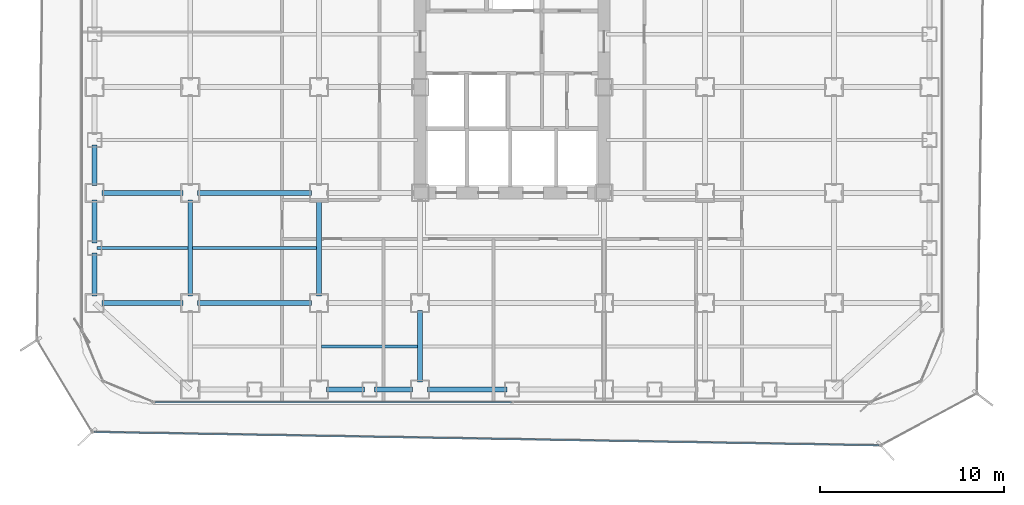
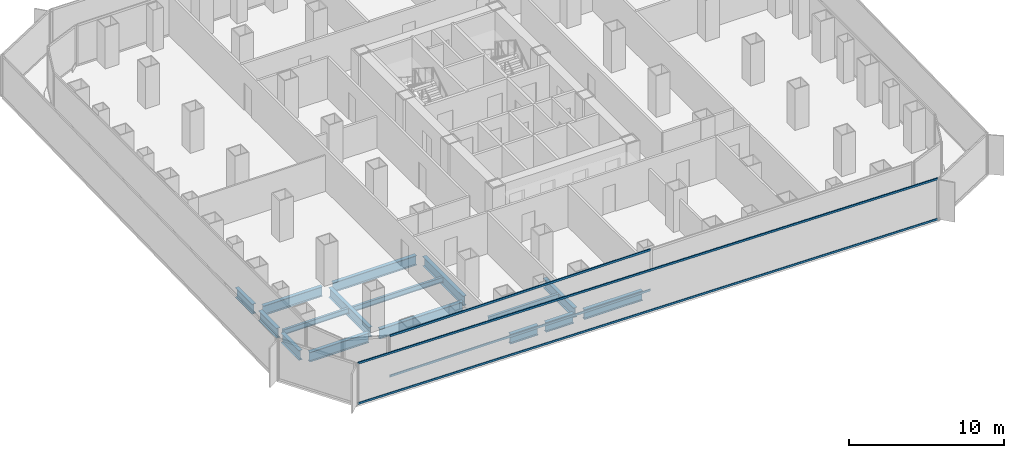
# One storey, part 3 of 22: 16 beams, 4 members, 2 elements without a shape of their own.
"""IFC4 building model written with IfcOpenShell, lengths in metres."""

import ifcopenshell
import ifcopenshell.guid

model = None  # the IFC model being written
_history = None  # IfcOwnerHistory: only IFC2X3 demands one
_inside = {}  # id of a spatial element -> (the spatial element, [elements in it])
_under = {}  # id of a project, library or spatial element -> (it, [spatial elements below it])
_declared = {}  # id of a project -> (the project, [libraries it declares])
_typed = {}  # id of a type object -> (the type object, [elements of that type])
_made_of = {}  # id of a material, layer set ... -> (it, [elements and type objects made of it])


def new_model(schema):
    """Start an empty IFC model of exactly this schema.

    Asked for "IFC4X3", IfcOpenShell would pick the latest addendum, in which some entities
    have other attributes; the version numbers below select the first issue.
    IFC2X3 requires an IfcOwnerHistory on every rooted entity: one is made here for all.
    """
    global model, _history
    if schema == "IFC4X3":
        model = ifcopenshell.file(schema_version=(4, 3, 0, 0))
    else:
        model = ifcopenshell.file(schema=schema)
    _inside.clear()
    _under.clear()
    _declared.clear()
    _typed.clear()
    _made_of.clear()
    _history = None
    if model.schema == "IFC2X3":
        org = make("IfcOrganization", Name="unknown")
        user = make(
            "IfcPersonAndOrganization",
            ThePerson=make("IfcPerson", FamilyName="unknown"),
            TheOrganization=org,
        )
        app = make(
            "IfcApplication",
            ApplicationDeveloper=org,
            Version="unknown",
            ApplicationFullName="unknown",
            ApplicationIdentifier="unknown",
        )
        _history = make(
            "IfcOwnerHistory",
            OwningUser=user,
            OwningApplication=app,
            ChangeAction="ADDED",
            CreationDate=0,
        )
    return model


def make(cls, **values):
    """One entity of the class cls with the attributes given. An attribute that is None is left unset."""
    return model.create_entity(
        cls, **{name: value for name, value in values.items() if value is not None}
    )


def rooted(cls, **values):
    """An entity with a GlobalId (a new one), such as an element, a storey or a relation."""
    return make(cls, GlobalId=ifcopenshell.guid.new(), OwnerHistory=_history, **values)


def si_unit(unit_type, name, prefix=None):
    """IfcSIUnit, for example si_unit("LENGTHUNIT", "METRE", prefix="MILLI")."""
    return make("IfcSIUnit", UnitType=unit_type, Prefix=prefix, Name=name)


def assignment(units):
    """IfcUnitAssignment: the units of a project."""
    return None if units is None else make("IfcUnitAssignment", Units=units)


def point(xyz):
    """IfcCartesianPoint."""
    return None if xyz is None else make("IfcCartesianPoint", Coordinates=xyz)


def direction(xyz):
    """IfcDirection."""
    return None if xyz is None else make("IfcDirection", DirectionRatios=xyz)


def frame(location, z_axis=None, x_axis=None):
    """IfcAxis2Placement3D, a coordinate frame: its origin and axes. An axis left out is left unset."""
    return make(
        "IfcAxis2Placement3D",
        Location=point(location),
        Axis=direction(z_axis),
        RefDirection=direction(x_axis),
    )


def frame_2d(location, x_axis=None):
    """IfcAxis2Placement2D, a coordinate frame in the plane: its origin and x axis."""
    return make(
        "IfcAxis2Placement2D", Location=point(location), RefDirection=direction(x_axis)
    )


def origin():
    """The frame at (0, 0, 0) with its axes left unset."""
    return frame((0.0, 0.0, 0.0))


def origin_2d():
    """The frame at (0, 0) in the plane with its x axis left unset."""
    return frame_2d((0.0, 0.0))


def place(relative_to, where):
    """IfcLocalPlacement: puts the frame where relative to a parent placement (None: the world)."""
    return make(
        "IfcLocalPlacement", PlacementRelTo=relative_to, RelativePlacement=where
    )


def context(
    kind, dimensions, precision=None, world=None, true_north=None, identifier=None
):
    """IfcGeometricRepresentationContext, for example the 3D "Model" context."""
    return make(
        "IfcGeometricRepresentationContext",
        ContextIdentifier=identifier,
        ContextType=kind,
        CoordinateSpaceDimension=dimensions,
        Precision=precision,
        WorldCoordinateSystem=world,
        TrueNorth=true_north,
    )


def subcontext(parent, identifier, kind, view, scale=None):
    """IfcGeometricRepresentationSubContext, for example "Body" below "Model"."""
    return make(
        "IfcGeometricRepresentationSubContext",
        ContextIdentifier=identifier,
        ContextType=kind,
        ParentContext=parent,
        TargetScale=scale,
        TargetView=view,
    )


def project(units=None, contexts=None):
    """IfcProject with its units and contexts."""
    return rooted(
        "IfcProject",
        Name="project",
        RepresentationContexts=contexts,
        UnitsInContext=assignment(units),
    )


def spatial(cls, under=None, at=None, **own):
    """A site, building, storey or space (cls), placed at a placement, below another one or the project."""
    s = rooted(cls, ObjectPlacement=at, **own)
    if under is not None:
        _under.setdefault(under.id(), (under, []))[1].append(s)
    return s


def profile(cls, at=None, kind="AREA", **sizes):
    """A parametric profile (cls). Its sizes go by their IFC names, for example OverallWidth=200.0."""
    return make(cls, ProfileType=kind, Position=at, **sizes)


def hollow_rectangle(**sizes):
    """IfcRectangleHollowProfileDef."""
    return profile("IfcRectangleHollowProfileDef", **sizes)


def i_section(**sizes):
    """IfcIShapeProfileDef."""
    return profile("IfcIShapeProfileDef", **sizes)


def extrude(swept, where, along, depth):
    """IfcExtrudedAreaSolid: the profile swept, set in the frame where, extruded along a direction by depth."""
    return make(
        "IfcExtrudedAreaSolid",
        SweptArea=swept,
        Position=where,
        ExtrudedDirection=direction(along),
        Depth=depth,
    )


def shape(context_of_items, identifier, shape_type, items):
    """IfcShapeRepresentation: the items that make up one representation, for example the "Body"."""
    return make(
        "IfcShapeRepresentation",
        ContextOfItems=context_of_items,
        RepresentationIdentifier=identifier,
        RepresentationType=shape_type,
        Items=items,
    )


def source(mapping_origin, context_of_items, identifier, shape_type, items):
    """IfcRepresentationMap: a shape defined once, which mapped items show again and again."""
    return make(
        "IfcRepresentationMap",
        MappingOrigin=mapping_origin,
        MappedRepresentation=shape(context_of_items, identifier, shape_type, items),
    )


def transform(
    local_origin,
    x_axis=None,
    y_axis=None,
    z_axis=None,
    scale=None,
    scale2=None,
    scale3=None,
    uniform=True,
):
    """IfcCartesianTransformationOperator3D, or its non-uniform kind. x_axis, y_axis, z_axis: its Axis1, 2, 3."""
    if uniform:
        return make(
            "IfcCartesianTransformationOperator3D",
            Axis1=direction(x_axis),
            Axis2=direction(y_axis),
            LocalOrigin=point(local_origin),
            Scale=scale,
            Axis3=direction(z_axis),
        )
    return make(
        "IfcCartesianTransformationOperator3DnonUniform",
        Axis1=direction(x_axis),
        Axis2=direction(y_axis),
        LocalOrigin=point(local_origin),
        Scale=scale,
        Axis3=direction(z_axis),
        Scale2=scale2,
        Scale3=scale3,
    )


def mapped(mapping_source, mapping_target):
    """IfcMappedItem: shows the shape of a source again, moved by a transform."""
    return make(
        "IfcMappedItem", MappingSource=mapping_source, MappingTarget=mapping_target
    )


def material(Name=None, Category=None):
    """IfcMaterial."""
    return make("IfcMaterial", Name=Name, Category=Category)


def layer(
    of_material, thickness, ventilated=None, Name=None, Category=None, Priority=None
):
    """IfcMaterialLayer: one layer of a wall or slab, of a material (None: an air gap)."""
    return make(
        "IfcMaterialLayer",
        Material=of_material,
        LayerThickness=thickness,
        IsVentilated=ventilated,
        Name=Name,
        Category=Category,
        Priority=Priority,
    )


def layer_set(layers, Name=None):
    """IfcMaterialLayerSet."""
    return make("IfcMaterialLayerSet", MaterialLayers=layers, LayerSetName=Name)


def material_profile(
    of_material, cross_section, Name=None, Category=None, Priority=None
):
    """IfcMaterialProfile: a cross section and its material."""
    return make(
        "IfcMaterialProfile",
        Name=Name,
        Material=of_material,
        Profile=cross_section,
        Priority=Priority,
        Category=Category,
    )


def profile_set(profiles, Name=None, composite=None):
    """IfcMaterialProfileSet."""
    return make(
        "IfcMaterialProfileSet",
        Name=Name,
        MaterialProfiles=profiles,
        CompositeProfile=composite,
    )


def made_of(thing, what):
    """Note that an element or type object is made of a material, layer set ...; save() writes the relation."""
    if what is not None:
        _made_of.setdefault(what.id(), (what, []))[1].append(thing)
    return thing


def type_object(cls, material=None, **own):
    """A type object (cls), such as IfcWallType, which elements share."""
    return made_of(rooted(cls, **own), material)


def element(
    cls,
    number,
    at=None,
    inside=None,
    cuts=None,
    type_object=None,
    material=None,
    context=None,
    identifier="Body",
    shape_type=None,
    held_by="IfcProductDefinitionShape",
    body=None,
    shapes=None,
    **own,
):
    """One element of the class cls, such as IfcWall. Its Tag is "e" and its number.

    at: its placement. inside: the storey or other place that contains it. cuts: it is an
    opening in that element (IfcRelVoidsElement). A single representation is given by context,
    identifier, shape_type and body (its items); several are given by shapes. held_by: the class
    of the entity that holds the representations. save() writes the other relations.
    """
    e = rooted(cls, Tag="e%d" % number, ObjectPlacement=at, **own)
    if body is not None:
        shapes = [shape(context, identifier, shape_type, body)]
    if shapes is not None:
        e.Representation = make(held_by, Representations=shapes)
    if inside is not None:
        _inside.setdefault(inside.id(), (inside, []))[1].append(e)
    if cuts is not None:
        rooted(
            "IfcRelVoidsElement", RelatingBuildingElement=cuts, RelatedOpeningElement=e
        )
    if type_object is not None:
        _typed.setdefault(type_object.id(), (type_object, []))[1].append(e)
    return made_of(e, material)


def aggregate(whole, parts):
    """IfcRelAggregates: a whole, such as a stair, and the parts it consists of."""
    return rooted("IfcRelAggregates", RelatingObject=whole, RelatedObjects=parts)


def save(model, path):
    """Write the relations noted so far, then the file.

    IfcRelAggregates (storeys below a building ...), IfcRelContainedInSpatialStructure (elements
    in a storey), IfcRelDefinesByType, IfcRelAssociatesMaterial and IfcRelDeclares: one each for
    every whole, place, type object, material and project.
    """
    for whole, parts in _under.values():
        aggregate(whole, parts)
    for where, things in _inside.values():
        rooted(
            "IfcRelContainedInSpatialStructure",
            RelatedElements=things,
            RelatingStructure=where,
        )
    for kind, things in _typed.values():
        rooted("IfcRelDefinesByType", RelatedObjects=things, RelatingType=kind)
    for what, things in _made_of.values():
        rooted("IfcRelAssociatesMaterial", RelatedObjects=things, RelatingMaterial=what)
    for by, libraries in _declared.values():
        rooted("IfcRelDeclares", RelatingContext=by, RelatedDefinitions=libraries)
    model.write(path)


model = new_model("IFC4")

# Units and contexts
model_context = context("Model", 3, precision=1e-05, world=origin(), true_north=direction((0.0, 1.0)))
body_context = subcontext(model_context, "Body", "Model", "MODEL_VIEW")
ifc_project = project(units=[si_unit("LENGTHUNIT", "METRE"), si_unit("AREAUNIT", "SQUARE_METRE"), si_unit("VOLUMEUNIT", "CUBIC_METRE"), si_unit("PLANEANGLEUNIT", "RADIAN"), si_unit("MASSUNIT", "GRAM", prefix="KILO")], contexts=[model_context])

# Site, building, storey
site_placement = place(None, origin())
site = spatial("IfcSite", under=ifc_project, at=site_placement, CompositionType="ELEMENT")
building_placement = place(site_placement, origin())
building = spatial("IfcBuilding", under=site, at=building_placement, Name="Kolveth Station Tower", CompositionType="ELEMENT")
storey_placement = place(building_placement, frame((0.0, 0.0, 72.89990234375)))
storey = spatial("IfcBuildingStorey", under=building, at=storey_placement, Name="L19", CompositionType="ELEMENT", Elevation=72.89990234375)

# Beams
ifc_material_1 = material(Name="Steel S355", Category="steel")
ifc_material_profile_1 = material_profile(ifc_material_1, i_section(OverallWidth=0.26904296875, OverallDepth=0.77490234375, WebThickness=0.01708984375, FlangeThickness=0.0283203125, at=origin_2d()), Name="W760x220")
ifc_profile_set_1 = profile_set([ifc_material_profile_1], Name="Steel S355")
beam_type_1 = type_object("IfcBeamType", Name="Beam_SP1", PredefinedType="SPANDREL", material=ifc_profile_set_1)
shared_shape_1 = source(origin(), body_context, "Body", "SweptSolid", [
    extrude(i_section(OverallWidth=0.26904296875, OverallDepth=0.77490234375, WebThickness=0.01708984375, FlangeThickness=0.0283203125, at=origin_2d()), origin(), (0.0, 0.0, 1.0), 2.070068359375),
])
for number, where, z_axis, x_axis, name in (
    (1, (13.39990234375, 0.800048828125, -0.66748046875), (1.0, 0.0, 0.0), (0.0, 1.0, 0.0), "L19 Perimeter Spandrel BM-L19-PS-3"),
    (2, (16.030029296875, 0.800048828125, -0.66748046875), (1.0, 0.0, 0.0), (0.0, 1.0, 0.0), "L19 Perimeter Spandrel BM-L19-PS-4"),
):
    element("IfcBeam", number, at=place(storey_placement, frame(where, z_axis=z_axis, x_axis=x_axis)), inside=storey, type_object=beam_type_1, Name=name, PredefinedType="SPANDREL", context=body_context, shape_type="MappedRepresentation", body=[
        mapped(shared_shape_1, transform((0.0, 0.0, 0.0), x_axis=(1.0, 0.0, 0.0), y_axis=(0.0, 1.0, 0.0), z_axis=(0.0, 0.0, 1.0), scale=1.0)),
    ])
shared_shape_2 = source(origin(), body_context, "Body", "SweptSolid", [
    extrude(i_section(OverallWidth=0.26904296875, OverallDepth=0.77490234375, WebThickness=0.01708984375, FlangeThickness=0.0283203125, at=origin_2d()), origin(), (0.0, 0.0, 1.0), 4.320068359375),
])
beam_1_placement = place(storey_placement, frame((18.89990234375, 0.800048828125, -0.66748046875), z_axis=(1.0, 0.0, 0.0), x_axis=(0.0, 1.0, 0.0)))
element("IfcBeam", 3, at=beam_1_placement, inside=storey, type_object=beam_type_1, Name="L19 Perimeter Spandrel BM-L19-PS-5", PredefinedType="SPANDREL", context=body_context, shape_type="MappedRepresentation", body=[
    mapped(shared_shape_2, transform((0.0, 0.0, 0.0), x_axis=(1.0, 0.0, 0.0), y_axis=(0.0, 1.0, 0.0), z_axis=(0.0, 0.0, 1.0), scale=1.0)),
])
shared_shape_3 = source(origin(), body_context, "Body", "SweptSolid", [
    extrude(i_section(OverallWidth=0.26904296875, OverallDepth=0.77490234375, WebThickness=0.01708984375, FlangeThickness=0.0283203125, at=origin_2d()), origin(), (0.0, 0.0, 1.0), 2.320068359375),
])
for number, where, z_axis, x_axis, name in (
    (4, (0.800048828125, 5.89990234375, -0.66748046875), (0.0, 1.0, 0.0), (-1.0, 0.0, 0.0), "L19 Perimeter Spandrel BM-L19-PW-1"),
    (5, (0.800048828125, 8.780029296875, -0.66748046875), (0.0, 1.0, 0.0), (-1.0, 0.0, 0.0), "L19 Perimeter Spandrel BM-L19-PW-2"),
):
    element("IfcBeam", number, at=place(storey_placement, frame(where, z_axis=z_axis, x_axis=x_axis)), inside=storey, type_object=beam_type_1, Name=name, PredefinedType="SPANDREL", context=body_context, shape_type="MappedRepresentation", body=[
        mapped(shared_shape_3, transform((0.0, 0.0, 0.0), x_axis=(1.0, 0.0, 0.0), y_axis=(0.0, 1.0, 0.0), z_axis=(0.0, 0.0, 1.0), scale=1.0)),
    ])
shared_shape_4 = source(origin(), body_context, "Body", "SweptSolid", [
    extrude(i_section(OverallWidth=0.26904296875, OverallDepth=0.77490234375, WebThickness=0.01708984375, FlangeThickness=0.0283203125, at=origin_2d()), origin(), (0.0, 0.0, 1.0), 2.2001953125),
])
beam_2_placement = place(storey_placement, frame((0.800048828125, 11.89990234375, -0.66748046875), z_axis=(0.0, 1.0, 0.0), x_axis=(-1.0, 0.0, 0.0)))
element("IfcBeam", 6, at=beam_2_placement, inside=storey, type_object=beam_type_1, Name="L19 Perimeter Spandrel BM-L19-PW-3", PredefinedType="SPANDREL", context=body_context, shape_type="MappedRepresentation", body=[
    mapped(shared_shape_4, transform((0.0, 0.0, 0.0), x_axis=(1.0, 0.0, 0.0), y_axis=(0.0, 1.0, 0.0), z_axis=(0.0, 0.0, 1.0), scale=1.0)),
])
ifc_material_profile_2 = material_profile(ifc_material_1, i_section(OverallWidth=0.26708984375, OverallDepth=0.76611328125, WebThickness=0.014892578125, FlangeThickness=0.023681640625, at=origin_2d()), Name="W760x185")
ifc_profile_set_2 = profile_set([ifc_material_profile_2], Name="Steel S355")
beam_type_2 = type_object("IfcBeamType", Name="Beam_B3", PredefinedType="BEAM", material=ifc_profile_set_2)
shared_shape_5 = source(origin(), body_context, "Body", "SweptSolid", [
    extrude(i_section(OverallWidth=0.26708984375, OverallDepth=0.76611328125, WebThickness=0.014892578125, FlangeThickness=0.023681640625, at=origin_2d()), origin(), (0.0, 0.0, 1.0), 4.400146484375),
])
for number, where, z_axis, x_axis, name in (
    (7, (1.199951171875, 5.5, -0.662841796875), (1.0, 0.0, 0.0), (0.0, 1.0, 0.0), "L19 Primary Girder BM-L19-GY55-1"),
    (8, (1.199951171875, 11.5, -0.662841796875), (1.0, 0.0, 0.0), (0.0, 1.0, 0.0), "L19 Primary Girder BM-L19-GY115-1"),
):
    element("IfcBeam", number, at=place(storey_placement, frame(where, z_axis=z_axis, x_axis=x_axis)), inside=storey, type_object=beam_type_2, Name=name, PredefinedType="BEAM", context=body_context, shape_type="MappedRepresentation", body=[
        mapped(shared_shape_5, transform((0.0, 0.0, 0.0), x_axis=(1.0, 0.0, 0.0), y_axis=(0.0, 1.0, 0.0), z_axis=(0.0, 0.0, 1.0), scale=1.0)),
    ])
shared_shape_6 = source(origin(), body_context, "Body", "SweptSolid", [
    extrude(i_section(OverallWidth=0.26708984375, OverallDepth=0.76611328125, WebThickness=0.014892578125, FlangeThickness=0.023681640625, at=origin_2d()), origin(), (0.0, 0.0, 1.0), 6.2001953125),
])
for number, where, z_axis, x_axis, name in (
    (9, (6.39990234375, 5.5, -0.662841796875), (1.0, 0.0, 0.0), (0.0, 1.0, 0.0), "L19 Primary Girder BM-L19-GY55-2"),
    (10, (6.39990234375, 11.5, -0.662841796875), (1.0, 0.0, 0.0), (0.0, 1.0, 0.0), "L19 Primary Girder BM-L19-GY115-2"),
):
    element("IfcBeam", number, at=place(storey_placement, frame(where, z_axis=z_axis, x_axis=x_axis)), inside=storey, type_object=beam_type_2, Name=name, PredefinedType="BEAM", context=body_context, shape_type="MappedRepresentation", body=[
        mapped(shared_shape_6, transform((0.0, 0.0, 0.0), x_axis=(1.0, 0.0, 0.0), y_axis=(0.0, 1.0, 0.0), z_axis=(0.0, 0.0, 1.0), scale=1.0)),
    ])
shared_shape_7 = source(origin(), body_context, "Body", "SweptSolid", [
    extrude(i_section(OverallWidth=0.26708984375, OverallDepth=0.76611328125, WebThickness=0.014892578125, FlangeThickness=0.023681640625, at=origin_2d()), origin(), (0.0, 0.0, 1.0), 3.900146484375),
])
beam_3_placement = place(storey_placement, frame((18.5, 1.199951171875, -0.662841796875), z_axis=(0.0, 1.0, 0.0), x_axis=(-1.0, 0.0, 0.0)))
element("IfcBeam", 11, at=beam_3_placement, inside=storey, type_object=beam_type_2, Name="L19 Primary Girder BM-L19-GX185-1", PredefinedType="BEAM", context=body_context, shape_type="MappedRepresentation", body=[
    mapped(shared_shape_7, transform((0.0, 0.0, 0.0), x_axis=(1.0, 0.0, 0.0), y_axis=(0.0, 1.0, 0.0), z_axis=(0.0, 0.0, 1.0), scale=1.0)),
])
shared_shape_8 = source(origin(), body_context, "Body", "SweptSolid", [
    extrude(i_section(OverallWidth=0.26708984375, OverallDepth=0.76611328125, WebThickness=0.014892578125, FlangeThickness=0.023681640625, at=origin_2d()), origin(), (0.0, 0.0, 1.0), 5.2001953125),
])
for number, where, z_axis, x_axis, name in (
    (12, (6.0, 5.89990234375, -0.662841796875), (0.0, 1.0, 0.0), (-1.0, 0.0, 0.0), "L19 Primary Girder BM-L19-GX60-2"),
    (13, (13.0, 5.89990234375, -0.662841796875), (0.0, 1.0, 0.0), (-1.0, 0.0, 0.0), "L19 Primary Girder BM-L19-GX130-2"),
):
    element("IfcBeam", number, at=place(storey_placement, frame(where, z_axis=z_axis, x_axis=x_axis)), inside=storey, type_object=beam_type_2, Name=name, PredefinedType="BEAM", context=body_context, shape_type="MappedRepresentation", body=[
        mapped(shared_shape_8, transform((0.0, 0.0, 0.0), x_axis=(1.0, 0.0, 0.0), y_axis=(0.0, 1.0, 0.0), z_axis=(0.0, 0.0, 1.0), scale=1.0)),
    ])
ifc_material_profile_3 = material_profile(ifc_material_1, i_section(OverallWidth=0.177978515625, OverallDepth=0.406982421875, WebThickness=0.0078125, FlangeThickness=0.0126953125, at=origin_2d()), Name="W410x60")
ifc_profile_set_3 = profile_set([ifc_material_profile_3], Name="Steel S355")
beam_type_3 = type_object("IfcBeamType", Name="Beam_J1", PredefinedType="JOIST", material=ifc_profile_set_3)
shared_shape_9 = source(origin(), body_context, "Body", "SweptSolid", [
    extrude(i_section(OverallWidth=0.177978515625, OverallDepth=0.406982421875, WebThickness=0.0078125, FlangeThickness=0.0126953125, at=origin_2d()), origin(), (0.0, 0.0, 1.0), 4.935791015625),
])
beam_4_placement = place(storey_placement, frame((0.9326171875, 8.5, -0.4833984375), z_axis=(1.0, 0.0, 0.0), x_axis=(0.0, 1.0, 0.0)))
element("IfcBeam", 14, at=beam_4_placement, inside=storey, type_object=beam_type_3, Name="L19 Secondary Joist JST-L19-1-2", PredefinedType="JOIST", context=body_context, shape_type="MappedRepresentation", body=[
    mapped(shared_shape_9, transform((0.0, 0.0, 0.0), x_axis=(1.0, 0.0, 0.0), y_axis=(0.0, 1.0, 0.0), z_axis=(0.0, 0.0, 1.0), scale=1.0)),
])
shared_shape_10 = source(origin(), body_context, "Body", "SweptSolid", [
    extrude(i_section(OverallWidth=0.177978515625, OverallDepth=0.406982421875, WebThickness=0.0078125, FlangeThickness=0.0126953125, at=origin_2d()), origin(), (0.0, 0.0, 1.0), 6.73681640625),
])
beam_5_placement = place(storey_placement, frame((6.131591796875, 8.5, -0.4833984375), z_axis=(1.0, 0.0, 0.0), x_axis=(0.0, 1.0, 0.0)))
element("IfcBeam", 15, at=beam_5_placement, inside=storey, type_object=beam_type_3, Name="L19 Secondary Joist JST-L19-2-2", PredefinedType="JOIST", context=body_context, shape_type="MappedRepresentation", body=[
    mapped(shared_shape_10, transform((0.0, 0.0, 0.0), x_axis=(1.0, 0.0, 0.0), y_axis=(0.0, 1.0, 0.0), z_axis=(0.0, 0.0, 1.0), scale=1.0)),
])
shared_shape_11 = source(origin(), body_context, "Body", "SweptSolid", [
    extrude(i_section(OverallWidth=0.177978515625, OverallDepth=0.406982421875, WebThickness=0.0078125, FlangeThickness=0.0126953125, at=origin_2d()), origin(), (0.0, 0.0, 1.0), 5.23681640625),
])
beam_6_placement = place(storey_placement, frame((13.131591796875, 3.14990234375, -0.4833984375), z_axis=(1.0, 0.0, 0.0), x_axis=(0.0, 1.0, 0.0)))
element("IfcBeam", 16, at=beam_6_placement, inside=storey, type_object=beam_type_3, Name="L19 Secondary Joist JST-L19-3-1", PredefinedType="JOIST", context=body_context, shape_type="MappedRepresentation", body=[
    mapped(shared_shape_11, transform((0.0, 0.0, 0.0), x_axis=(1.0, 0.0, 0.0), y_axis=(0.0, 1.0, 0.0), z_axis=(0.0, 0.0, 1.0), scale=1.0)),
])

# Curtain wall, members
ifc_material_2 = material(Name="Aluminium 6063-T6 and low-E dark glass", Category="aluminium")
ifc_layer_1 = layer(ifc_material_2, 0.179931640625)
ifc_layer_set_1 = layer_set([ifc_layer_1], Name="Aluminium 6063-T6 and low-E dark glass")
curtain_wall_type_1 = type_object("IfcCurtainWallType", Name="CurtainWall_CW-Z1", PredefinedType="NOTDEFINED", material=ifc_layer_set_1)
curtain_wall_1_placement = place(storey_placement, origin())
curtain_wall_1 = element("IfcCurtainWall", 17, at=curtain_wall_1_placement, inside=storey, type_object=curtain_wall_type_1, Name="L19 Inner Thermal Curtain Wall 12", PredefinedType="NOTDEFINED")
ifc_material_3 = material(Name="Black anodized aluminium 6063-T6", Category="aluminium")
ifc_material_profile_4 = material_profile(ifc_material_3, hollow_rectangle(XDim=0.074951171875, YDim=0.159912109375, WallThickness=0.0048828125, at=origin_2d()), Name="ALU-75x160x5")
ifc_profile_set_4 = profile_set([ifc_material_profile_4], Name="Black anodized aluminium 6063-T6")
member_type_1 = type_object("IfcMemberType", Name="Transom_TR1", PredefinedType="USERDEFINED", material=ifc_profile_set_4)
shared_shape_12 = source(origin(), body_context, "Body", "SweptSolid", [
    extrude(hollow_rectangle(XDim=0.074951171875, YDim=0.159912109375, WallThickness=0.0048828125, at=origin_2d()), origin(), (0.0, 0.0, 1.0), 19.387451171875),
])
member_1_placement = place(storey_placement, frame((4.074951171875, 0.1201171875, 0.03759765625), z_axis=(1.0, 0.0, 0.0), x_axis=(0.0, 1.0, 0.0)))
member_1 = element("IfcMember", 18, at=member_1_placement, type_object=member_type_1, Name="CW-Z1 transom 1.1", ObjectType="TRANSOM", PredefinedType="USERDEFINED", context=body_context, shape_type="MappedRepresentation", body=[
    mapped(shared_shape_12, transform((0.0, 0.0, 0.0), x_axis=(1.0, 0.0, 0.0), y_axis=(0.0, 1.0, 0.0), z_axis=(0.0, 0.0, 1.0), scale=1.0)),
])
member_2_placement = place(storey_placement, frame((4.074951171875, 0.1201171875, 3.20263671875), z_axis=(1.0, 0.0, 0.0), x_axis=(0.0, 1.0, 0.0)))
member_2 = element("IfcMember", 19, at=member_2_placement, type_object=member_type_1, Name="CW-Z1 transom 1.2", ObjectType="TRANSOM", PredefinedType="USERDEFINED", context=body_context, shape_type="MappedRepresentation", body=[
    mapped(shared_shape_12, transform((0.0, 0.0, 0.0), x_axis=(1.0, 0.0, 0.0), y_axis=(0.0, 1.0, 0.0), z_axis=(0.0, 0.0, 1.0), scale=1.0)),
])
aggregate(curtain_wall_1, [member_1, member_2])

ifc_material_4 = material(Name="Black anodized aluminium 6063-T6 and dark solar glass", Category="aluminium")
ifc_layer_2 = layer(ifc_material_4, 0.159912109375)
ifc_layer_set_2 = layer_set([ifc_layer_2], Name="Black anodized aluminium 6063-T6 and dark solar glass")
curtain_wall_type_2 = type_object("IfcCurtainWallType", Name="OUTER SKIN CW-OS", PredefinedType="NOTDEFINED", material=ifc_layer_set_2)
curtain_wall_2_placement = place(storey_placement, origin())
curtain_wall_2 = element("IfcCurtainWall", 20, at=curtain_wall_2_placement, inside=storey, type_object=curtain_wall_type_2, Name="L19 Outer Ventilated Skin Curtain Wall 8", PredefinedType="NOTDEFINED")
ifc_material_profile_5 = material_profile(ifc_material_3, hollow_rectangle(XDim=0.080078125, YDim=0.14990234375, WallThickness=0.0048828125, at=origin_2d()), Name="ALU-80x150x5")
ifc_profile_set_5 = profile_set([ifc_material_profile_5], Name="Black anodized aluminium 6063-T6")
member_type_2 = type_object("IfcMemberType", Name="Transom_TR-OS", PredefinedType="USERDEFINED", material=ifc_profile_set_5)
shared_shape_13 = source(origin(), body_context, "Body", "SweptSolid", [
    extrude(hollow_rectangle(XDim=0.080078125, YDim=0.14990234375, WallThickness=0.0048828125, at=origin_2d()), origin(), (0.0, 0.0, 1.0), 42.69873046875),
])
member_3_placement = place(storey_placement, frame((0.7666015625, -1.504150390625, 0.0400390625), z_axis=(0.99985492558, -0.017033138082, 0.0), x_axis=(0.017033138082, 0.99985492558, 0.0)))
member_3 = element("IfcMember", 21, at=member_3_placement, type_object=member_type_2, Name="CW-OS transom 1.1", ObjectType="TRANSOM", PredefinedType="USERDEFINED", context=body_context, shape_type="MappedRepresentation", body=[
    mapped(shared_shape_13, transform((0.0, 0.0, 0.0), x_axis=(1.0, 0.0, 0.0), y_axis=(0.0, 1.0, 0.0), z_axis=(0.0, 0.0, 1.0), scale=1.0)),
])
member_4_placement = place(storey_placement, frame((0.7666015625, -1.504150390625, 3.2001953125), z_axis=(0.99985492558, -0.017033138082, 0.0), x_axis=(0.017033138082, 0.99985492558, 0.0)))
member_4 = element("IfcMember", 22, at=member_4_placement, type_object=member_type_2, Name="CW-OS transom 1.2", ObjectType="TRANSOM", PredefinedType="USERDEFINED", context=body_context, shape_type="MappedRepresentation", body=[
    mapped(shared_shape_13, transform((0.0, 0.0, 0.0), x_axis=(1.0, 0.0, 0.0), y_axis=(0.0, 1.0, 0.0), z_axis=(0.0, 0.0, 1.0), scale=1.0)),
])
aggregate(curtain_wall_2, [member_3, member_4])

save(model, "model.ifc")
